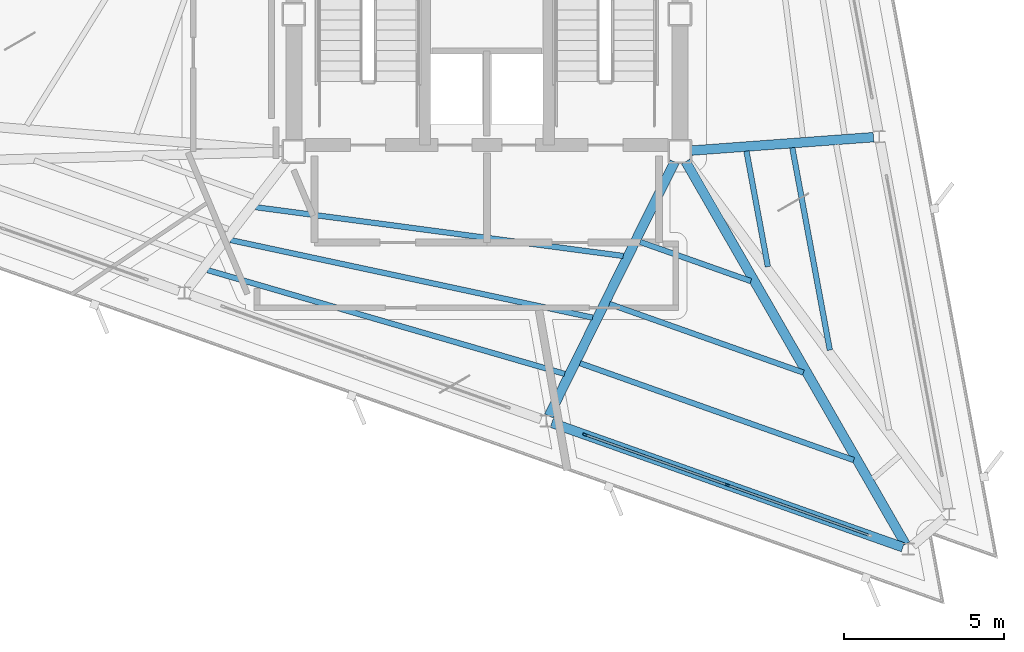
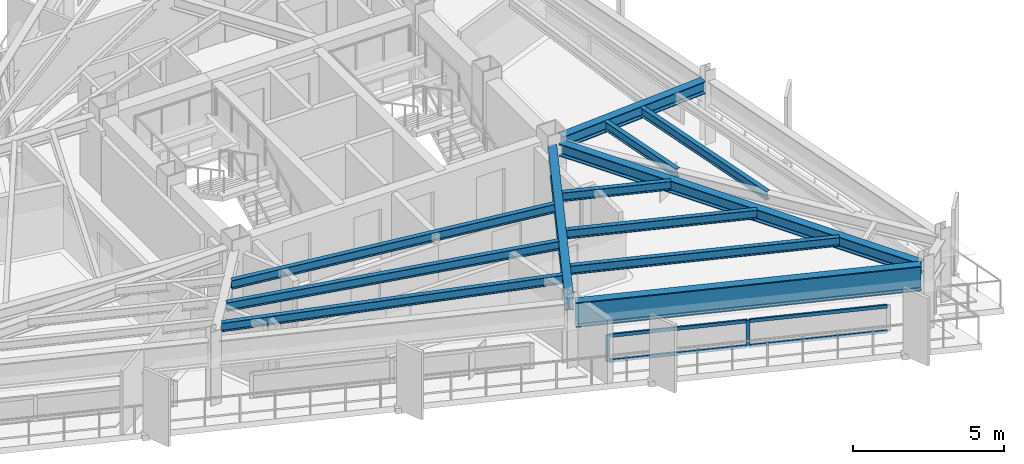
# One storey, part 3 of 14: 12 beams, 6 members, 1 element without a shape of its own.
"""IFC4 building model written with IfcOpenShell, lengths in metres."""

from ifc_helpers import new_model, si_unit, direction, frame, origin, origin_2d, place, context, subcontext, project, spatial, rectangle, i_section, extrude, material, layer, layer_set, material_profile, profile_set, type_object, element, aggregate, save


model = new_model("IFC4")

# Units and contexts
model_context = context("Model", 3, precision=1e-05, world=origin(), true_north=direction((0.0, 1.0)))
body_context = subcontext(model_context, "Body", "Model", "MODEL_VIEW")
ifc_project = project(units=[si_unit("LENGTHUNIT", "METRE"), si_unit("AREAUNIT", "SQUARE_METRE"), si_unit("VOLUMEUNIT", "CUBIC_METRE"), si_unit("PLANEANGLEUNIT", "RADIAN"), si_unit("MASSUNIT", "GRAM", prefix="KILO")], contexts=[model_context])

# Site, building, storey
site_placement = place(None, origin())
site = spatial("IfcSite", under=ifc_project, at=site_placement, CompositionType="ELEMENT")
building_placement = place(site_placement, origin())
building = spatial("IfcBuilding", under=site, at=building_placement, Name="Rocaltana Carrier Exchange", CompositionType="ELEMENT")
storey_placement = place(building_placement, frame((0.0, 0.0, 190.56005859375)))
storey = spatial("IfcBuildingStorey", under=building, at=storey_placement, Name="L60", CompositionType="ELEMENT", Elevation=190.56005859375)

# Curtain wall, members
ifc_material_1 = material(Name="Aluminium 6063-T6", Category="aluminium")
ifc_layer = layer(ifc_material_1, 0.135009765625)
ifc_layer_set = layer_set([ifc_layer], Name="Aluminium 6063-T6")
curtain_wall_type = type_object("IfcCurtainWallType", Name="Upper-Mid Acoustic Curtain Wall CW-04", PredefinedType="NOTDEFINED", material=ifc_layer_set)
curtain_wall_placement = place(storey_placement, origin())
curtain_wall = element("IfcCurtainWall", 1, at=curtain_wall_placement, inside=storey, type_object=curtain_wall_type, Name="L60 CW-04 Run CW-L60-F3S3", PredefinedType="NOTDEFINED")
ifc_material_2 = material(Name="Aluminium 6063-T6", Category="aluminium")
ifc_material_profile_1 = material_profile(ifc_material_2, rectangle(XDim=0.06494140625, YDim=0.135009765625, at=origin_2d()), Name="AL-65X135")
ifc_profile_set_1 = profile_set([ifc_material_profile_1], Name="Aluminium 6063-T6")
member_type_1 = type_object("IfcMemberType", Name="CW-04 Mullion AL-65X135", PredefinedType="MULLION", material=ifc_profile_set_1)
member_1_placement = place(storey_placement, frame((3.0771484375, -13.177001953125, 0.0), z_axis=(0.0, 0.0, 1.0), x_axis=(0.333798791936, 0.942644347833, 0.0)))
member_1 = element("IfcMember", 2, at=member_1_placement, type_object=member_type_1, Name="CW-04 mullion 1", PredefinedType="MULLION", context=body_context, shape_type="SweptSolid", body=[
    extrude(rectangle(XDim=0.06494140625, YDim=0.135009765625, at=origin_2d()), origin(), (0.0, 0.0, 1.0), 1.077880859375),
])
member_2_placement = place(storey_placement, frame((7.539794921875, -14.757080078125, 0.0), z_axis=(0.0, 0.0, 1.0), x_axis=(0.333798791936, 0.942644347833, 0.0)))
member_2 = element("IfcMember", 3, at=member_2_placement, type_object=member_type_1, Name="CW-04 mullion 2", PredefinedType="MULLION", context=body_context, shape_type="SweptSolid", body=[
    extrude(rectangle(XDim=0.06494140625, YDim=0.135009765625, at=origin_2d()), origin(), (0.0, 0.0, 1.0), 1.077880859375),
])
ifc_material_3 = material(Name="Aluminium 6063-T6", Category="aluminium")
ifc_material_profile_2 = material_profile(ifc_material_3, rectangle(XDim=0.06494140625, YDim=0.135009765625, at=origin_2d()), Name="AL-65X135")
ifc_profile_set_2 = profile_set([ifc_material_profile_2], Name="Aluminium 6063-T6")
member_type_2 = type_object("IfcMemberType", Name="CW-04 Transom AL-65X135", PredefinedType="USERDEFINED", material=ifc_profile_set_2)
member_3_placement = place(storey_placement, frame((3.107666015625, -13.187744140625, 0.032470703125), z_axis=(0.942642307572, -0.333804553558, 0.0), x_axis=(0.333804553558, 0.942642307572, 0.0)))
member_3 = element("IfcMember", 4, at=member_3_placement, type_object=member_type_2, Name="CW-04 transom 1.1", ObjectType="TRANSOM", PredefinedType="USERDEFINED", context=body_context, shape_type="SweptSolid", body=[
    extrude(rectangle(XDim=0.06494140625, YDim=0.135009765625, at=origin_2d()), origin(), (0.0, 0.0, 1.0), 4.669189453125),
])
member_4_placement = place(storey_placement, frame((3.107666015625, -13.187744140625, 1.04541015625), z_axis=(0.942642307572, -0.333804553558, 0.0), x_axis=(0.333804553558, 0.942642307572, 0.0)))
member_4 = element("IfcMember", 5, at=member_4_placement, type_object=member_type_2, Name="CW-04 transom 1.2", ObjectType="TRANSOM", PredefinedType="USERDEFINED", context=body_context, shape_type="SweptSolid", body=[
    extrude(rectangle(XDim=0.06494140625, YDim=0.135009765625, at=origin_2d()), origin(), (0.0, 0.0, 1.0), 4.669189453125),
])
member_5_placement = place(storey_placement, frame((7.5703125, -14.76806640625, 0.032470703125), z_axis=(0.942642307572, -0.333804553558, 0.0), x_axis=(0.333804553558, 0.942642307572, 0.0)))
member_5 = element("IfcMember", 6, at=member_5_placement, type_object=member_type_2, Name="CW-04 transom 2.1", ObjectType="TRANSOM", PredefinedType="USERDEFINED", context=body_context, shape_type="SweptSolid", body=[
    extrude(rectangle(XDim=0.06494140625, YDim=0.135009765625, at=origin_2d()), origin(), (0.0, 0.0, 1.0), 4.669189453125),
])
member_6_placement = place(storey_placement, frame((7.5703125, -14.76806640625, 1.04541015625), z_axis=(0.942642307572, -0.333804553558, 0.0), x_axis=(0.333804553558, 0.942642307572, 0.0)))
member_6 = element("IfcMember", 7, at=member_6_placement, type_object=member_type_2, Name="CW-04 transom 2.2", ObjectType="TRANSOM", PredefinedType="USERDEFINED", context=body_context, shape_type="SweptSolid", body=[
    extrude(rectangle(XDim=0.06494140625, YDim=0.135009765625, at=origin_2d()), origin(), (0.0, 0.0, 1.0), 4.669189453125),
])
aggregate(curtain_wall, [member_1, member_2, member_3, member_4, member_5, member_6])

# Beams
ifc_material_4 = material(Name="Steel S355", Category="steel")
ifc_material_profile_3 = material_profile(ifc_material_4, i_section(OverallWidth=0.172119140625, OverallDepth=0.35791015625, WebThickness=0.0078125, FlangeThickness=0.01318359375, FilletRadius=0.011962890625, at=origin_2d()), Name="W14X38")
ifc_profile_set_3 = profile_set([ifc_material_profile_3], Name="Steel S355")
beam_type_1 = type_object("IfcBeamType", Name="Floor Joist W14X38", PredefinedType="JOIST", material=ifc_profile_set_3)
beam_1_placement = place(storey_placement, frame((8.809814453125, -7.910888671875, 2.43896484375), z_axis=(-0.182226934398, 0.98325649979, 0.0), x_axis=(-0.98325649979, -0.182226934398, 0.0)))
element("IfcBeam", 8, at=beam_1_placement, inside=storey, type_object=beam_type_1, Name="FJ-L60-01-1", PredefinedType="JOIST", context=body_context, shape_type="SweptSolid", body=[
    extrude(i_section(OverallWidth=0.172119140625, OverallDepth=0.35791015625, WebThickness=0.0078125, FlangeThickness=0.01318359375, FilletRadius=0.011962890625, at=origin_2d()), origin(), (0.0, 0.0, 1.0), 3.68310546875),
])
beam_2_placement = place(storey_placement, frame((10.751708984375, -10.5263671875, 2.43896484375), z_axis=(-0.18226814906, 0.983248860583, 0.0), x_axis=(-0.983248860583, -0.18226814906, 0.0)))
element("IfcBeam", 9, at=beam_2_placement, inside=storey, type_object=beam_type_1, Name="FJ-L60-01-2", PredefinedType="JOIST", context=body_context, shape_type="SweptSolid", body=[
    extrude(i_section(OverallWidth=0.172119140625, OverallDepth=0.35791015625, WebThickness=0.0078125, FlangeThickness=0.01318359375, FilletRadius=0.011962890625, at=origin_2d()), origin(), (0.0, 0.0, 1.0), 6.450927734375),
])
beam_3_placement = place(storey_placement, frame((-7.242919921875, -6.04736328125, 2.43896484375), z_axis=(0.991307721648, -0.131563676599, 0.0), x_axis=(0.131563676599, 0.991307721648, 0.0)))
element("IfcBeam", 10, at=beam_3_placement, inside=storey, type_object=beam_type_1, Name="FJ-L60-10-1", PredefinedType="JOIST", context=body_context, shape_type="SweptSolid", body=[
    extrude(i_section(OverallWidth=0.172119140625, OverallDepth=0.35791015625, WebThickness=0.0078125, FlangeThickness=0.01318359375, FilletRadius=0.011962890625, at=origin_2d()), origin(), (0.0, 0.0, 1.0), 11.620361328125),
])
beam_4_placement = place(storey_placement, frame((-8.03271484375, -7.077880859375, 2.43896484375), z_axis=(0.977833801709, -0.209382559528, 0.0), x_axis=(0.209382559528, 0.977833801709, 0.0)))
element("IfcBeam", 11, at=beam_4_placement, inside=storey, type_object=beam_type_1, Name="FJ-L60-10-2", PredefinedType="JOIST", context=body_context, shape_type="SweptSolid", body=[
    extrude(i_section(OverallWidth=0.172119140625, OverallDepth=0.35791015625, WebThickness=0.0078125, FlangeThickness=0.01318359375, FilletRadius=0.011962890625, at=origin_2d()), origin(), (0.0, 0.0, 1.0), 11.6064453125),
])
beam_5_placement = place(storey_placement, frame((-8.75439453125, -8.018798828125, 2.43896484375), z_axis=(0.960273483181, -0.279060634091, 0.0), x_axis=(0.279060634091, 0.960273483181, 0.0)))
element("IfcBeam", 12, at=beam_5_placement, inside=storey, type_object=beam_type_1, Name="FJ-L60-10-3", PredefinedType="JOIST", context=body_context, shape_type="SweptSolid", body=[
    extrude(i_section(OverallWidth=0.172119140625, OverallDepth=0.35791015625, WebThickness=0.0078125, FlangeThickness=0.01318359375, FilletRadius=0.011962890625, at=origin_2d()), origin(), (0.0, 0.0, 1.0), 11.658447265625),
])
beam_6_placement = place(storey_placement, frame((4.8056640625, -7.13623046875, 2.43896484375), z_axis=(0.942660683234, -0.333752657344, 0.0), x_axis=(0.333752657344, 0.942660683234, 0.0)))
element("IfcBeam", 13, at=beam_6_placement, inside=storey, type_object=beam_type_1, Name="FJ-L60-11-1", PredefinedType="JOIST", context=body_context, shape_type="SweptSolid", body=[
    extrude(i_section(OverallWidth=0.172119140625, OverallDepth=0.35791015625, WebThickness=0.0078125, FlangeThickness=0.01318359375, FilletRadius=0.011962890625, at=origin_2d()), origin(), (0.0, 0.0, 1.0), 3.68310546875),
])
beam_7_placement = place(storey_placement, frame((3.843994140625, -9.079345703125, 2.43896484375), z_axis=(0.942637646352, -0.333817716246, 0.0), x_axis=(0.333817716246, 0.942637646352, 0.0)))
element("IfcBeam", 14, at=beam_7_placement, inside=storey, type_object=beam_type_1, Name="FJ-L60-11-2", PredefinedType="JOIST", context=body_context, shape_type="SweptSolid", body=[
    extrude(i_section(OverallWidth=0.172119140625, OverallDepth=0.35791015625, WebThickness=0.0078125, FlangeThickness=0.01318359375, FilletRadius=0.011962890625, at=origin_2d()), origin(), (0.0, 0.0, 1.0), 6.45068359375),
])
beam_8_placement = place(storey_placement, frame((2.923828125, -10.93798828125, 2.43896484375), z_axis=(0.942637076776, -0.333819324616, 0.0), x_axis=(0.333819324616, 0.942637076776, 0.0)))
element("IfcBeam", 15, at=beam_8_placement, inside=storey, type_object=beam_type_1, Name="FJ-L60-11-3", PredefinedType="JOIST", context=body_context, shape_type="SweptSolid", body=[
    extrude(i_section(OverallWidth=0.172119140625, OverallDepth=0.35791015625, WebThickness=0.0078125, FlangeThickness=0.01318359375, FilletRadius=0.011962890625, at=origin_2d()), origin(), (0.0, 0.0, 1.0), 9.09814453125),
])
ifc_material_5 = material(Name="Steel S460", Category="steel")
ifc_material_profile_4 = material_profile(ifc_material_5, i_section(OverallWidth=0.302001953125, OverallDepth=1.008056640625, WebThickness=0.02099609375, FlangeThickness=0.0400390625, FilletRadius=0.030029296875, at=origin_2d()), Name="HEM1000")
ifc_profile_set_4 = profile_set([ifc_material_profile_4], Name="Steel S460")
beam_type_2 = type_object("IfcBeamType", Name="Transfer Ring Girder HEM1000", PredefinedType="USERDEFINED", material=ifc_profile_set_4)
beam_9_placement = place(storey_placement, frame((2.037353515625, -12.80859375, 2.114013671875), z_axis=(0.942634217319, -0.333827399025, 0.0), x_axis=(0.333827399025, 0.942634217319, 0.0)))
element("IfcBeam", 16, at=beam_9_placement, inside=storey, type_object=beam_type_2, Name="SP-L60-11", ObjectType="TRANSFER GIRDER", PredefinedType="USERDEFINED", context=body_context, shape_type="SweptSolid", body=[
    extrude(i_section(OverallWidth=0.302001953125, OverallDepth=1.008056640625, WebThickness=0.02099609375, FlangeThickness=0.0400390625, FilletRadius=0.030029296875, at=origin_2d()), origin(), (0.0, 0.0, 1.0), 11.67431640625),
])
ifc_material_6 = material(Name="Steel S355", Category="steel")
ifc_material_profile_5 = material_profile(ifc_material_6, i_section(OverallWidth=0.300048828125, OverallDepth=0.5, WebThickness=0.014404296875, FlangeThickness=0.028076171875, FilletRadius=0.027099609375, at=origin_2d()), Name="HEB500")
ifc_profile_set_5 = profile_set([ifc_material_profile_5], Name="Steel S355")
beam_type_3 = type_object("IfcBeamType", Name="Upper Radial Girder HEB500", PredefinedType="BEAM", material=ifc_profile_set_5)
beam_10_placement = place(storey_placement, frame((6.416015625, -4.27294921875, 2.367919921875), z_axis=(0.997298528623, 0.073455052973, 0.0), x_axis=(-0.073455052973, 0.997298528623, 0.0)))
element("IfcBeam", 17, at=beam_10_placement, inside=storey, type_object=beam_type_3, Name="RG-L60-02", PredefinedType="BEAM", context=body_context, shape_type="SweptSolid", body=[
    extrude(i_section(OverallWidth=0.300048828125, OverallDepth=0.5, WebThickness=0.014404296875, FlangeThickness=0.028076171875, FilletRadius=0.027099609375, at=origin_2d()), origin(), (0.0, 0.0, 1.0), 5.719970703125),
])
beam_11_placement = place(storey_placement, frame((5.88720703125, -4.62890625, 2.367919921875), z_axis=(-0.443603072525, -0.896223361694, 0.0), x_axis=(0.896223361694, -0.443603072525, 0.0)))
element("IfcBeam", 18, at=beam_11_placement, inside=storey, type_object=beam_type_3, Name="RG-L60-11", PredefinedType="BEAM", context=body_context, shape_type="SweptSolid", body=[
    extrude(i_section(OverallWidth=0.300048828125, OverallDepth=0.5, WebThickness=0.014404296875, FlangeThickness=0.028076171875, FilletRadius=0.027099609375, at=origin_2d()), origin(), (0.0, 0.0, 1.0), 8.880615234375),
])
beam_12_placement = place(storey_placement, frame((6.23291015625, -4.6181640625, 2.367919921875), z_axis=(0.498120506918, -0.867107813705, 0.0), x_axis=(0.867107813705, 0.498120506918, 0.0)))
element("IfcBeam", 19, at=beam_12_placement, inside=storey, type_object=beam_type_3, Name="RG-L60-12", PredefinedType="BEAM", context=body_context, shape_type="SweptSolid", body=[
    extrude(i_section(OverallWidth=0.300048828125, OverallDepth=0.5, WebThickness=0.014404296875, FlangeThickness=0.028076171875, FilletRadius=0.027099609375, at=origin_2d()), origin(), (0.0, 0.0, 1.0), 13.829833984375),
])

save(model, "model.ifc")
